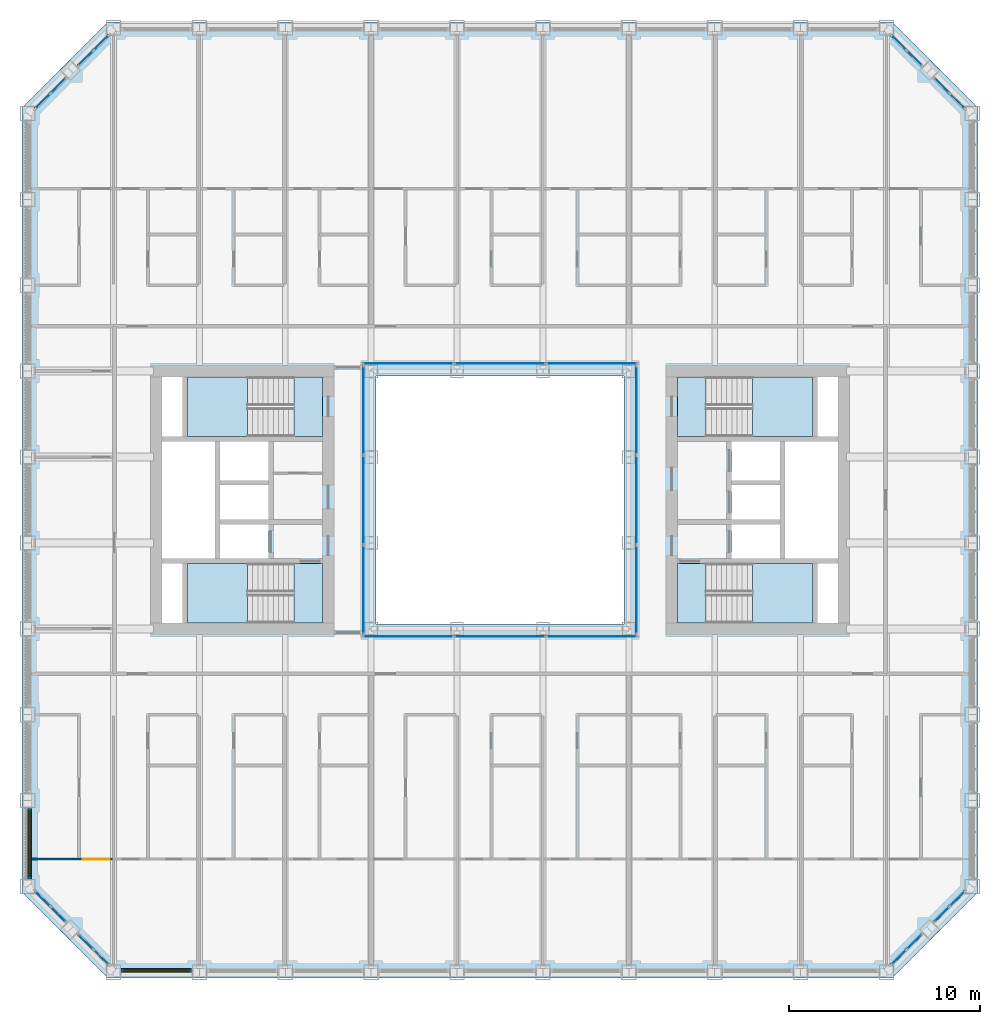
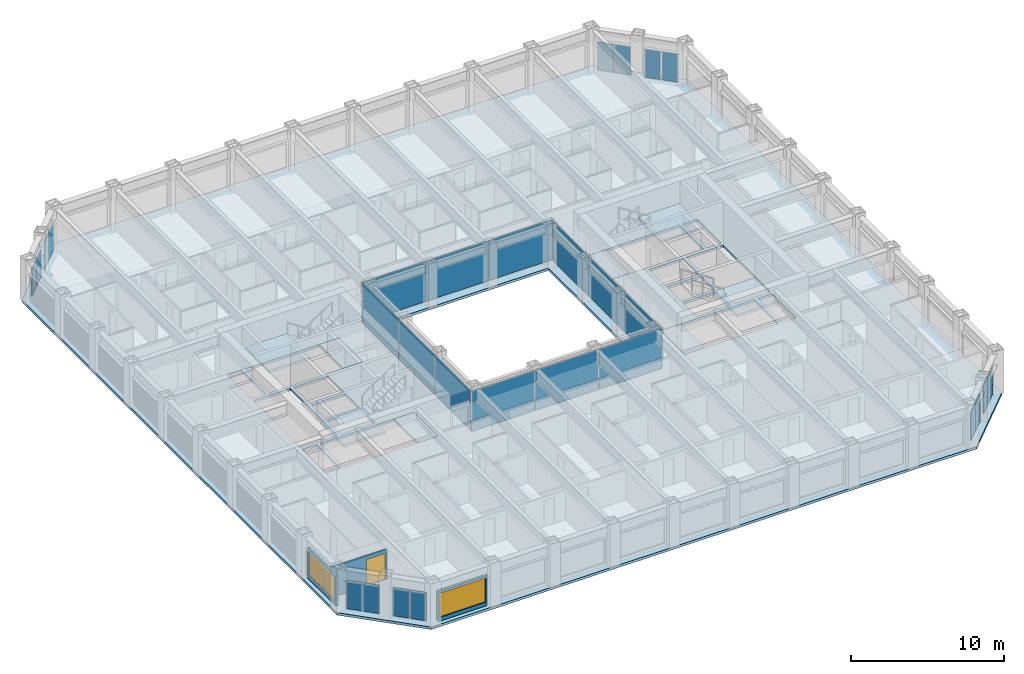
# One storey, part 8 of 21: 28 plates, 9 slabs, 3 walls, 2 windows, 1 door, 3 openings, 16 elements without a shape of their own.
"""IFC4 building model written with IfcOpenShell, lengths in metres."""

from ifc_helpers import new_model, si_unit, direction, frame, frame_2d, origin, origin_2d, place, context, subcontext, project, spatial, polyline, rectangle, outline, extrude, material, layer, layer_set, type_object, element, fill, aggregate, save


model = new_model("IFC4")

# Units and contexts
model_context = context("Model", 3, precision=1e-05, world=origin(), true_north=direction((0.0, 1.0)))
body_context = subcontext(model_context, "Body", "Model", "MODEL_VIEW")
ifc_project = project(units=[si_unit("LENGTHUNIT", "METRE"), si_unit("AREAUNIT", "SQUARE_METRE"), si_unit("VOLUMEUNIT", "CUBIC_METRE"), si_unit("PLANEANGLEUNIT", "RADIAN"), si_unit("MASSUNIT", "GRAM", prefix="KILO")], contexts=[model_context])

# Site, building, storey
site_placement = place(None, origin())
site = spatial("IfcSite", under=ifc_project, at=site_placement, CompositionType="ELEMENT")
building_placement = place(site_placement, origin())
building = spatial("IfcBuilding", under=site, at=building_placement, Name="Msasa Ring Tower", CompositionType="ELEMENT")
storey_placement = place(building_placement, frame((0.0, 0.0, 93.0)))
storey = spatial("IfcBuildingStorey", under=building, at=storey_placement, Name="L24", CompositionType="ELEMENT", Elevation=93.0)

# Curtain wall, plates
ifc_material_1 = material(Name="Aluminium curtain wall with clear glass", Category="aluminium")
curtain_wall_type_1 = type_object("IfcCurtainWallType", Name="CW-C CHAMFER CORNER CURTAIN WALL", PredefinedType="NOTDEFINED", material=ifc_material_1)
curtain_wall_1_placement = place(storey_placement, origin())
curtain_wall_1 = element("IfcCurtainWall", 1, at=curtain_wall_1_placement, inside=storey, type_object=curtain_wall_type_1, Name="Chamfer corner curtain wall SE L24", PredefinedType="NOTDEFINED")
ifc_material_2 = material(Name="Clear laminated insulating glass unit", Category="glass")
ifc_layer_1 = layer(ifc_material_2, 0.031982421875)
ifc_layer_set_1 = layer_set([ifc_layer_1], Name="CW-C GLASS PANEL 32")
plate_type_1 = type_object("IfcPlateType", Name="CW-C GLASS PANEL 32", PredefinedType="CURTAIN_PANEL", material=ifc_layer_set_1)
plate_1_placement = place(storey_placement, frame((20.896484375, -23.962158203125, 0.06494140625), z_axis=(0.0, 0.0, 1.0), x_axis=(0.707106781187, 0.707106781187, 0.0)))
plate_1 = element("IfcPlate", 2, at=plate_1_placement, type_object=plate_type_1, Name="CW-C panel 1.1", PredefinedType="CURTAIN_PANEL", context=body_context, shape_type="SweptSolid", body=[
    extrude(rectangle(XDim=1.08837890625, YDim=0.031982421875, at=origin_2d()), origin(), (0.0, 0.0, 1.0), 2.2490234375),
])
plate_2_placement = place(storey_placement, frame((21.712158203125, -23.146484375, 0.06494140625), z_axis=(0.0, 0.0, 1.0), x_axis=(0.707106781187, 0.707106781187, 0.0)))
plate_2 = element("IfcPlate", 3, at=plate_2_placement, type_object=plate_type_1, Name="CW-C panel 2.1", PredefinedType="CURTAIN_PANEL", context=body_context, shape_type="SweptSolid", body=[
    extrude(rectangle(XDim=1.08837890625, YDim=0.031982421875, at=origin_2d()), origin(), (0.0, 0.0, 1.0), 2.2490234375),
])
aggregate(curtain_wall_1, [plate_1, plate_2])

curtain_wall_2_placement = place(storey_placement, origin())
curtain_wall_2 = element("IfcCurtainWall", 4, at=curtain_wall_2_placement, inside=storey, type_object=curtain_wall_type_1, Name="Chamfer corner curtain wall SE L24", PredefinedType="NOTDEFINED")
plate_3_placement = place(storey_placement, frame((23.146484375, -21.712158203125, 0.06494140625), z_axis=(0.0, 0.0, 1.0), x_axis=(0.707106781187, 0.707106781187, 0.0)))
plate_3 = element("IfcPlate", 5, at=plate_3_placement, type_object=plate_type_1, Name="CW-C panel 1.1", PredefinedType="CURTAIN_PANEL", context=body_context, shape_type="SweptSolid", body=[
    extrude(rectangle(XDim=1.08837890625, YDim=0.031982421875, at=origin_2d()), origin(), (0.0, 0.0, 1.0), 2.2490234375),
])
plate_4_placement = place(storey_placement, frame((23.962158203125, -20.896484375, 0.06494140625), z_axis=(0.0, 0.0, 1.0), x_axis=(0.707106781187, 0.707106781187, 0.0)))
plate_4 = element("IfcPlate", 6, at=plate_4_placement, type_object=plate_type_1, Name="CW-C panel 2.1", PredefinedType="CURTAIN_PANEL", context=body_context, shape_type="SweptSolid", body=[
    extrude(rectangle(XDim=1.08837890625, YDim=0.031982421875, at=origin_2d()), origin(), (0.0, 0.0, 1.0), 2.2490234375),
])
aggregate(curtain_wall_2, [plate_3, plate_4])

curtain_wall_3_placement = place(storey_placement, origin())
curtain_wall_3 = element("IfcCurtainWall", 7, at=curtain_wall_3_placement, inside=storey, type_object=curtain_wall_type_1, Name="Chamfer corner curtain wall NE L24", PredefinedType="NOTDEFINED")
plate_5_placement = place(storey_placement, frame((21.712158203125, 23.146484375, 0.06494140625), z_axis=(0.0, 0.0, 1.0), x_axis=(-0.707106781187, 0.707106781187, 0.0)))
plate_5 = element("IfcPlate", 8, at=plate_5_placement, type_object=plate_type_1, Name="CW-C panel 1.1", PredefinedType="CURTAIN_PANEL", context=body_context, shape_type="SweptSolid", body=[
    extrude(rectangle(XDim=1.08837890625, YDim=0.031982421875, at=origin_2d()), origin(), (0.0, 0.0, 1.0), 2.2490234375),
])
plate_6_placement = place(storey_placement, frame((20.896484375, 23.962158203125, 0.06494140625), z_axis=(0.0, 0.0, 1.0), x_axis=(-0.707106781187, 0.707106781187, 0.0)))
plate_6 = element("IfcPlate", 9, at=plate_6_placement, type_object=plate_type_1, Name="CW-C panel 2.1", PredefinedType="CURTAIN_PANEL", context=body_context, shape_type="SweptSolid", body=[
    extrude(rectangle(XDim=1.08837890625, YDim=0.031982421875, at=origin_2d()), origin(), (0.0, 0.0, 1.0), 2.2490234375),
])
aggregate(curtain_wall_3, [plate_5, plate_6])

curtain_wall_4_placement = place(storey_placement, origin())
curtain_wall_4 = element("IfcCurtainWall", 10, at=curtain_wall_4_placement, inside=storey, type_object=curtain_wall_type_1, Name="Chamfer corner curtain wall NE L24", PredefinedType="NOTDEFINED")
plate_7_placement = place(storey_placement, frame((23.962158203125, 20.896484375, 0.06494140625), z_axis=(0.0, 0.0, 1.0), x_axis=(-0.707106781187, 0.707106781187, 0.0)))
plate_7 = element("IfcPlate", 11, at=plate_7_placement, type_object=plate_type_1, Name="CW-C panel 1.1", PredefinedType="CURTAIN_PANEL", context=body_context, shape_type="SweptSolid", body=[
    extrude(rectangle(XDim=1.08837890625, YDim=0.031982421875, at=origin_2d()), origin(), (0.0, 0.0, 1.0), 2.2490234375),
])
plate_8_placement = place(storey_placement, frame((23.146484375, 21.712158203125, 0.06494140625), z_axis=(0.0, 0.0, 1.0), x_axis=(-0.707106781187, 0.707106781187, 0.0)))
plate_8 = element("IfcPlate", 12, at=plate_8_placement, type_object=plate_type_1, Name="CW-C panel 2.1", PredefinedType="CURTAIN_PANEL", context=body_context, shape_type="SweptSolid", body=[
    extrude(rectangle(XDim=1.08837890625, YDim=0.031982421875, at=origin_2d()), origin(), (0.0, 0.0, 1.0), 2.2490234375),
])
aggregate(curtain_wall_4, [plate_7, plate_8])

curtain_wall_5_placement = place(storey_placement, origin())
curtain_wall_5 = element("IfcCurtainWall", 13, at=curtain_wall_5_placement, inside=storey, type_object=curtain_wall_type_1, Name="Chamfer corner curtain wall NW L24", PredefinedType="NOTDEFINED")
plate_9_placement = place(storey_placement, frame((-23.146484375, 21.712158203125, 0.06494140625), z_axis=(0.0, 0.0, 1.0), x_axis=(-0.707106781187, -0.707106781187, 0.0)))
plate_9 = element("IfcPlate", 14, at=plate_9_placement, type_object=plate_type_1, Name="CW-C panel 1.1", PredefinedType="CURTAIN_PANEL", context=body_context, shape_type="SweptSolid", body=[
    extrude(rectangle(XDim=1.08837890625, YDim=0.031982421875, at=origin_2d()), origin(), (0.0, 0.0, 1.0), 2.2490234375),
])
plate_10_placement = place(storey_placement, frame((-23.962158203125, 20.896484375, 0.06494140625), z_axis=(0.0, 0.0, 1.0), x_axis=(-0.707106781187, -0.707106781187, 0.0)))
plate_10 = element("IfcPlate", 15, at=plate_10_placement, type_object=plate_type_1, Name="CW-C panel 2.1", PredefinedType="CURTAIN_PANEL", context=body_context, shape_type="SweptSolid", body=[
    extrude(rectangle(XDim=1.08837890625, YDim=0.031982421875, at=origin_2d()), origin(), (0.0, 0.0, 1.0), 2.2490234375),
])
aggregate(curtain_wall_5, [plate_9, plate_10])

curtain_wall_6_placement = place(storey_placement, origin())
curtain_wall_6 = element("IfcCurtainWall", 16, at=curtain_wall_6_placement, inside=storey, type_object=curtain_wall_type_1, Name="Chamfer corner curtain wall NW L24", PredefinedType="NOTDEFINED")
plate_11_placement = place(storey_placement, frame((-20.896484375, 23.962158203125, 0.06494140625), z_axis=(0.0, 0.0, 1.0), x_axis=(-0.707106781187, -0.707106781187, 0.0)))
plate_11 = element("IfcPlate", 17, at=plate_11_placement, type_object=plate_type_1, Name="CW-C panel 1.1", PredefinedType="CURTAIN_PANEL", context=body_context, shape_type="SweptSolid", body=[
    extrude(rectangle(XDim=1.08837890625, YDim=0.031982421875, at=origin_2d()), origin(), (0.0, 0.0, 1.0), 2.2490234375),
])
plate_12_placement = place(storey_placement, frame((-21.712158203125, 23.146484375, 0.06494140625), z_axis=(0.0, 0.0, 1.0), x_axis=(-0.707106781187, -0.707106781187, 0.0)))
plate_12 = element("IfcPlate", 18, at=plate_12_placement, type_object=plate_type_1, Name="CW-C panel 2.1", PredefinedType="CURTAIN_PANEL", context=body_context, shape_type="SweptSolid", body=[
    extrude(rectangle(XDim=1.08837890625, YDim=0.031982421875, at=origin_2d()), origin(), (0.0, 0.0, 1.0), 2.2490234375),
])
aggregate(curtain_wall_6, [plate_11, plate_12])

curtain_wall_7_placement = place(storey_placement, origin())
curtain_wall_7 = element("IfcCurtainWall", 19, at=curtain_wall_7_placement, inside=storey, type_object=curtain_wall_type_1, Name="Chamfer corner curtain wall SW L24", PredefinedType="NOTDEFINED")
plate_13_placement = place(storey_placement, frame((-23.962158203125, -20.896484375, 0.06494140625), z_axis=(0.0, 0.0, 1.0), x_axis=(0.707106781187, -0.707106781187, 0.0)))
plate_13 = element("IfcPlate", 20, at=plate_13_placement, type_object=plate_type_1, Name="CW-C panel 1.1", PredefinedType="CURTAIN_PANEL", context=body_context, shape_type="SweptSolid", body=[
    extrude(rectangle(XDim=1.08837890625, YDim=0.031982421875, at=origin_2d()), origin(), (0.0, 0.0, 1.0), 2.2490234375),
])
plate_14_placement = place(storey_placement, frame((-23.146484375, -21.712158203125, 0.06494140625), z_axis=(0.0, 0.0, 1.0), x_axis=(0.707106781187, -0.707106781187, 0.0)))
plate_14 = element("IfcPlate", 21, at=plate_14_placement, type_object=plate_type_1, Name="CW-C panel 2.1", PredefinedType="CURTAIN_PANEL", context=body_context, shape_type="SweptSolid", body=[
    extrude(rectangle(XDim=1.08837890625, YDim=0.031982421875, at=origin_2d()), origin(), (0.0, 0.0, 1.0), 2.2490234375),
])
aggregate(curtain_wall_7, [plate_13, plate_14])

curtain_wall_8_placement = place(storey_placement, origin())
curtain_wall_8 = element("IfcCurtainWall", 22, at=curtain_wall_8_placement, inside=storey, type_object=curtain_wall_type_1, Name="Chamfer corner curtain wall SW L24", PredefinedType="NOTDEFINED")
plate_15_placement = place(storey_placement, frame((-21.712158203125, -23.146484375, 0.06494140625), z_axis=(0.0, 0.0, 1.0), x_axis=(0.707106781187, -0.707106781187, 0.0)))
plate_15 = element("IfcPlate", 23, at=plate_15_placement, type_object=plate_type_1, Name="CW-C panel 1.1", PredefinedType="CURTAIN_PANEL", context=body_context, shape_type="SweptSolid", body=[
    extrude(rectangle(XDim=1.08837890625, YDim=0.031982421875, at=origin_2d()), origin(), (0.0, 0.0, 1.0), 2.2490234375),
])
plate_16_placement = place(storey_placement, frame((-20.896484375, -23.962158203125, 0.06494140625), z_axis=(0.0, 0.0, 1.0), x_axis=(0.707106781187, -0.707106781187, 0.0)))
plate_16 = element("IfcPlate", 24, at=plate_16_placement, type_object=plate_type_1, Name="CW-C panel 2.1", PredefinedType="CURTAIN_PANEL", context=body_context, shape_type="SweptSolid", body=[
    extrude(rectangle(XDim=1.08837890625, YDim=0.031982421875, at=origin_2d()), origin(), (0.0, 0.0, 1.0), 2.2490234375),
])
aggregate(curtain_wall_8, [plate_15, plate_16])

ifc_material_3 = material(Name="Aluminium curtain wall with clear glass", Category="aluminium")
curtain_wall_type_2 = type_object("IfcCurtainWallType", Name="CW-W LIGHT WELL CURTAIN WALL", PredefinedType="NOTDEFINED", material=ifc_material_3)
curtain_wall_9_placement = place(storey_placement, origin())
curtain_wall_9 = element("IfcCurtainWall", 25, at=curtain_wall_9_placement, inside=storey, type_object=curtain_wall_type_2, Name="Light well curtain wall N L24", PredefinedType="NOTDEFINED")
ifc_material_4 = material(Name="Clear laminated insulating glass unit", Category="glass")
ifc_layer_2 = layer(ifc_material_4, 0.028076171875)
ifc_layer_set_2 = layer_set([ifc_layer_2], Name="CW-W GLASS PANEL 28")
plate_type_2 = type_object("IfcPlateType", Name="CW-W GLASS PANEL 28", PredefinedType="CURTAIN_PANEL", material=ifc_layer_set_2)
plate_17_placement = place(storey_placement, frame((-4.804931640625, 7.14990234375, 0.06005859375), z_axis=(0.0, 0.0, 1.0), x_axis=(1.0, 0.0, 0.0)))
plate_17 = element("IfcPlate", 26, at=plate_17_placement, type_object=plate_type_2, Name="CW-W panel 1.1", PredefinedType="CURTAIN_PANEL", context=body_context, shape_type="SweptSolid", body=[
    extrude(rectangle(XDim=4.72998046875, YDim=0.028076171875, at=origin_2d()), origin(), (0.0, 0.0, 1.0), 3.179931640625),
])
plate_18_placement = place(storey_placement, frame((0.0, 7.14990234375, 0.06005859375), z_axis=(0.0, 0.0, 1.0), x_axis=(1.0, 0.0, 0.0)))
plate_18 = element("IfcPlate", 27, at=plate_18_placement, type_object=plate_type_2, Name="CW-W panel 2.1", PredefinedType="CURTAIN_PANEL", context=body_context, shape_type="SweptSolid", body=[
    extrude(rectangle(XDim=4.760009765625, YDim=0.028076171875, at=origin_2d()), origin(), (0.0, 0.0, 1.0), 3.179931640625),
])
plate_19_placement = place(storey_placement, frame((4.804931640625, 7.14990234375, 0.06005859375), z_axis=(0.0, 0.0, 1.0), x_axis=(1.0, 0.0, 0.0)))
plate_19 = element("IfcPlate", 28, at=plate_19_placement, type_object=plate_type_2, Name="CW-W panel 3.1", PredefinedType="CURTAIN_PANEL", context=body_context, shape_type="SweptSolid", body=[
    extrude(rectangle(XDim=4.72998046875, YDim=0.028076171875, at=origin_2d()), origin(), (0.0, 0.0, 1.0), 3.179931640625),
])
aggregate(curtain_wall_9, [plate_17, plate_18, plate_19])

curtain_wall_10_placement = place(storey_placement, origin())
curtain_wall_10 = element("IfcCurtainWall", 29, at=curtain_wall_10_placement, inside=storey, type_object=curtain_wall_type_2, Name="Light well curtain wall S L24", PredefinedType="NOTDEFINED")
plate_20_placement = place(storey_placement, frame((-4.804931640625, -7.14990234375, 0.06005859375), z_axis=(0.0, 0.0, 1.0), x_axis=(1.0, 0.0, 0.0)))
plate_20 = element("IfcPlate", 30, at=plate_20_placement, type_object=plate_type_2, Name="CW-W panel 1.1", PredefinedType="CURTAIN_PANEL", context=body_context, shape_type="SweptSolid", body=[
    extrude(rectangle(XDim=4.72998046875, YDim=0.028076171875, at=origin_2d()), origin(), (0.0, 0.0, 1.0), 3.179931640625),
])
plate_21_placement = place(storey_placement, frame((0.0, -7.14990234375, 0.06005859375), z_axis=(0.0, 0.0, 1.0), x_axis=(1.0, 0.0, 0.0)))
plate_21 = element("IfcPlate", 31, at=plate_21_placement, type_object=plate_type_2, Name="CW-W panel 2.1", PredefinedType="CURTAIN_PANEL", context=body_context, shape_type="SweptSolid", body=[
    extrude(rectangle(XDim=4.760009765625, YDim=0.028076171875, at=origin_2d()), origin(), (0.0, 0.0, 1.0), 3.179931640625),
])
plate_22_placement = place(storey_placement, frame((4.804931640625, -7.14990234375, 0.06005859375), z_axis=(0.0, 0.0, 1.0), x_axis=(1.0, 0.0, 0.0)))
plate_22 = element("IfcPlate", 32, at=plate_22_placement, type_object=plate_type_2, Name="CW-W panel 3.1", PredefinedType="CURTAIN_PANEL", context=body_context, shape_type="SweptSolid", body=[
    extrude(rectangle(XDim=4.72998046875, YDim=0.028076171875, at=origin_2d()), origin(), (0.0, 0.0, 1.0), 3.179931640625),
])
aggregate(curtain_wall_10, [plate_20, plate_21, plate_22])

curtain_wall_11_placement = place(storey_placement, origin())
curtain_wall_11 = element("IfcCurtainWall", 33, at=curtain_wall_11_placement, inside=storey, type_object=curtain_wall_type_2, Name="Light well curtain wall E L24", PredefinedType="NOTDEFINED")
plate_23_placement = place(storey_placement, frame((7.14990234375, -4.6982421875, 0.06005859375), z_axis=(0.0, 0.0, 1.0), x_axis=(0.0, 1.0, 0.0)))
plate_23 = element("IfcPlate", 34, at=plate_23_placement, type_object=plate_type_2, Name="CW-W panel 1.1", PredefinedType="CURTAIN_PANEL", context=body_context, shape_type="SweptSolid", body=[
    extrude(rectangle(XDim=4.623291015625, YDim=0.028076171875, at=origin_2d()), origin(), (0.0, 0.0, 1.0), 3.179931640625),
])
plate_24_placement = place(storey_placement, frame((7.14990234375, 0.0, 0.06005859375), z_axis=(0.0, 0.0, 1.0), x_axis=(0.0, 1.0, 0.0)))
plate_24 = element("IfcPlate", 35, at=plate_24_placement, type_object=plate_type_2, Name="CW-W panel 2.1", PredefinedType="CURTAIN_PANEL", context=body_context, shape_type="SweptSolid", body=[
    extrude(rectangle(XDim=4.6533203125, YDim=0.028076171875, at=origin_2d()), origin(), (0.0, 0.0, 1.0), 3.179931640625),
])
plate_25_placement = place(storey_placement, frame((7.14990234375, 4.6982421875, 0.06005859375), z_axis=(0.0, 0.0, 1.0), x_axis=(0.0, 1.0, 0.0)))
plate_25 = element("IfcPlate", 36, at=plate_25_placement, type_object=plate_type_2, Name="CW-W panel 3.1", PredefinedType="CURTAIN_PANEL", context=body_context, shape_type="SweptSolid", body=[
    extrude(rectangle(XDim=4.623291015625, YDim=0.028076171875, at=origin_2d()), origin(), (0.0, 0.0, 1.0), 3.179931640625),
])
aggregate(curtain_wall_11, [plate_23, plate_24, plate_25])

curtain_wall_12_placement = place(storey_placement, origin())
curtain_wall_12 = element("IfcCurtainWall", 37, at=curtain_wall_12_placement, inside=storey, type_object=curtain_wall_type_2, Name="Light well curtain wall W L24", PredefinedType="NOTDEFINED")
plate_26_placement = place(storey_placement, frame((-7.14990234375, -4.6982421875, 0.06005859375), z_axis=(0.0, 0.0, 1.0), x_axis=(0.0, 1.0, 0.0)))
plate_26 = element("IfcPlate", 38, at=plate_26_placement, type_object=plate_type_2, Name="CW-W panel 1.1", PredefinedType="CURTAIN_PANEL", context=body_context, shape_type="SweptSolid", body=[
    extrude(rectangle(XDim=4.623291015625, YDim=0.028076171875, at=origin_2d()), origin(), (0.0, 0.0, 1.0), 3.179931640625),
])
plate_27_placement = place(storey_placement, frame((-7.14990234375, 0.0, 0.06005859375), z_axis=(0.0, 0.0, 1.0), x_axis=(0.0, 1.0, 0.0)))
plate_27 = element("IfcPlate", 39, at=plate_27_placement, type_object=plate_type_2, Name="CW-W panel 2.1", PredefinedType="CURTAIN_PANEL", context=body_context, shape_type="SweptSolid", body=[
    extrude(rectangle(XDim=4.6533203125, YDim=0.028076171875, at=origin_2d()), origin(), (0.0, 0.0, 1.0), 3.179931640625),
])
plate_28_placement = place(storey_placement, frame((-7.14990234375, 4.6982421875, 0.06005859375), z_axis=(0.0, 0.0, 1.0), x_axis=(0.0, 1.0, 0.0)))
plate_28 = element("IfcPlate", 40, at=plate_28_placement, type_object=plate_type_2, Name="CW-W panel 3.1", PredefinedType="CURTAIN_PANEL", context=body_context, shape_type="SweptSolid", body=[
    extrude(rectangle(XDim=4.623291015625, YDim=0.028076171875, at=origin_2d()), origin(), (0.0, 0.0, 1.0), 3.179931640625),
])
aggregate(curtain_wall_12, [plate_26, plate_27, plate_28])

# Stair, slabs
ifc_material_5 = material(Name="Concrete C40/50", Category="concrete")
stair_type = type_object("IfcStairType", Name="STC CORE STAIR 20 RISERS 175", PredefinedType="HALF_TURN_STAIR", material=ifc_material_5)
stair_1_placement = place(storey_placement, origin())
stair_1 = element("IfcStair", 41, at=stair_1_placement, inside=storey, type_object=stair_type, Name="Core stair SEA L24", PredefinedType="HALF_TURN_STAIR")
ifc_material_6 = material(Name="Concrete C40/50", Category="concrete")
ifc_layer_3 = layer(ifc_material_6, 0.199951171875)
ifc_layer_set_3 = layer_set([ifc_layer_3], Name="LD1 CORE STAIR LANDING 200")
slab_type_1 = type_object("IfcSlabType", Name="LD1 CORE STAIR LANDING 200", PredefinedType="LANDING", material=ifc_layer_set_3)
slab_1_placement = place(storey_placement, frame((0.0, 0.0, -0.199951171875)))
slab_1 = element("IfcSlab", 42, at=slab_1_placement, type_object=slab_type_1, Name="SEA landing 1", PredefinedType="LANDING", context=body_context, shape_type="SweptSolid", body=[
    extrude(outline(polyline([(9.300048828125, -6.449951171875), (10.800048828125, -6.449951171875), (10.800048828125, -3.324951171875), (9.300048828125, -3.324951171875), (9.300048828125, -6.449951171875)])), origin(), (0.0, 0.0, 1.0), 0.199951171875),
])
slab_2_placement = place(storey_placement, frame((0.0, 0.0, 1.550048828125)))
slab_2 = element("IfcSlab", 43, at=slab_2_placement, type_object=slab_type_1, Name="SEA landing 2", PredefinedType="LANDING", context=body_context, shape_type="SweptSolid", body=[
    extrude(outline(polyline([(13.22998046875, -6.449951171875), (16.375, -6.449951171875), (16.375, -3.324951171875), (13.22998046875, -3.324951171875), (13.22998046875, -6.449951171875)])), origin(), (0.0, 0.0, 1.0), 0.199951171875),
])
aggregate(stair_1, [slab_1, slab_2])

stair_2_placement = place(storey_placement, origin())
stair_2 = element("IfcStair", 44, at=stair_2_placement, inside=storey, type_object=stair_type, Name="Core stair SEB L24", PredefinedType="HALF_TURN_STAIR")
slab_3_placement = place(storey_placement, frame((0.0, 0.0, -0.199951171875)))
slab_3 = element("IfcSlab", 45, at=slab_3_placement, type_object=slab_type_1, Name="SEB landing 1", PredefinedType="LANDING", context=body_context, shape_type="SweptSolid", body=[
    extrude(outline(polyline([(9.300048828125, 3.324951171875), (10.800048828125, 3.324951171875), (10.800048828125, 6.449951171875), (9.300048828125, 6.449951171875), (9.300048828125, 3.324951171875)])), origin(), (0.0, 0.0, 1.0), 0.199951171875),
])
slab_4_placement = place(storey_placement, frame((0.0, 0.0, 1.550048828125)))
slab_4 = element("IfcSlab", 46, at=slab_4_placement, type_object=slab_type_1, Name="SEB landing 2", PredefinedType="LANDING", context=body_context, shape_type="SweptSolid", body=[
    extrude(outline(polyline([(13.22998046875, 3.324951171875), (16.375, 3.324951171875), (16.375, 6.449951171875), (13.22998046875, 6.449951171875), (13.22998046875, 3.324951171875)])), origin(), (0.0, 0.0, 1.0), 0.199951171875),
])
aggregate(stair_2, [slab_3, slab_4])

stair_3_placement = place(storey_placement, origin())
stair_3 = element("IfcStair", 47, at=stair_3_placement, inside=storey, type_object=stair_type, Name="Core stair SWA L24", PredefinedType="HALF_TURN_STAIR")
slab_5_placement = place(storey_placement, frame((0.0, 0.0, -0.199951171875)))
slab_5 = element("IfcSlab", 48, at=slab_5_placement, type_object=slab_type_1, Name="SWA landing 1", PredefinedType="LANDING", context=body_context, shape_type="SweptSolid", body=[
    extrude(outline(polyline([(-10.800048828125, -6.449951171875), (-9.300048828125, -6.449951171875), (-9.300048828125, -3.324951171875), (-10.800048828125, -3.324951171875), (-10.800048828125, -6.449951171875)])), origin(), (0.0, 0.0, 1.0), 0.199951171875),
])
slab_6_placement = place(storey_placement, frame((0.0, 0.0, 1.550048828125)))
slab_6 = element("IfcSlab", 49, at=slab_6_placement, type_object=slab_type_1, Name="SWA landing 2", PredefinedType="LANDING", context=body_context, shape_type="SweptSolid", body=[
    extrude(outline(polyline([(-16.375, -6.449951171875), (-13.22998046875, -6.449951171875), (-13.22998046875, -3.324951171875), (-16.375, -3.324951171875), (-16.375, -6.449951171875)])), origin(), (0.0, 0.0, 1.0), 0.199951171875),
])
aggregate(stair_3, [slab_5, slab_6])

stair_4_placement = place(storey_placement, origin())
stair_4 = element("IfcStair", 50, at=stair_4_placement, inside=storey, type_object=stair_type, Name="Core stair SWB L24", PredefinedType="HALF_TURN_STAIR")
slab_7_placement = place(storey_placement, frame((0.0, 0.0, -0.199951171875)))
slab_7 = element("IfcSlab", 51, at=slab_7_placement, type_object=slab_type_1, Name="SWB landing 1", PredefinedType="LANDING", context=body_context, shape_type="SweptSolid", body=[
    extrude(outline(polyline([(-10.800048828125, 3.324951171875), (-9.300048828125, 3.324951171875), (-9.300048828125, 6.449951171875), (-10.800048828125, 6.449951171875), (-10.800048828125, 3.324951171875)])), origin(), (0.0, 0.0, 1.0), 0.199951171875),
])
slab_8_placement = place(storey_placement, frame((0.0, 0.0, 1.550048828125)))
slab_8 = element("IfcSlab", 52, at=slab_8_placement, type_object=slab_type_1, Name="SWB landing 2", PredefinedType="LANDING", context=body_context, shape_type="SweptSolid", body=[
    extrude(outline(polyline([(-16.375, 3.324951171875), (-13.22998046875, 3.324951171875), (-13.22998046875, 6.449951171875), (-16.375, 6.449951171875), (-16.375, 3.324951171875)])), origin(), (0.0, 0.0, 1.0), 0.199951171875),
])
aggregate(stair_4, [slab_7, slab_8])

# Slab
ifc_material_7 = material(Name="Concrete C40/50", Category="concrete")
ifc_layer_4 = layer(ifc_material_7, 0.199951171875)
ifc_layer_set_4 = layer_set([ifc_layer_4], Name="S3 RESIDENCE FLOOR 200")
slab_type_2 = type_object("IfcSlabType", Name="S3 RESIDENCE FLOOR 200", PredefinedType="FLOOR", material=ifc_layer_set_4)
slab_9_placement = place(storey_placement, frame((0.0, 0.0, -0.199951171875)))
element("IfcSlab", 53, at=slab_9_placement, inside=storey, type_object=slab_type_2, Name="Floor slab L24", PredefinedType="FLOOR", context=body_context, shape_type="SweptSolid", body=[
    extrude(outline(polyline([(-20.550048828125, -25.050048828125), (20.550048828125, -25.050048828125), (25.050048828125, -20.550048828125), (25.050048828125, 20.550048828125), (20.550048828125, 25.050048828125), (-20.550048828125, 25.050048828125), (-25.050048828125, 20.550048828125), (-25.050048828125, -20.550048828125), (-20.550048828125, -25.050048828125)]), holes=[polyline([(-6.5, -6.5), (6.5, -6.5), (6.5, 6.5), (-6.5, 6.5), (-6.5, -6.5)]), polyline([(9.300048828125, -6.449951171875), (16.375, -6.449951171875), (16.375, -3.324951171875), (9.300048828125, -3.324951171875), (9.300048828125, -6.449951171875)]), polyline([(9.300048828125, 3.324951171875), (16.375, 3.324951171875), (16.375, 6.449951171875), (9.300048828125, 6.449951171875), (9.300048828125, 3.324951171875)]), polyline([(12.125, -3.074951171875), (14.675048828125, -3.074951171875), (14.675048828125, -1.27490234375), (12.125, -1.27490234375), (12.125, -3.074951171875)]), polyline([(12.125, -1.02490234375), (14.675048828125, -1.02490234375), (14.675048828125, 0.77490234375), (12.125, 0.77490234375), (12.125, -1.02490234375)]), polyline([(12.125, 1.02490234375), (14.675048828125, 1.02490234375), (14.675048828125, 3.074951171875), (12.125, 3.074951171875), (12.125, 1.02490234375)]), polyline([(16.625, -6.449951171875), (17.699951171875, -6.449951171875), (17.699951171875, -3.324951171875), (16.625, -3.324951171875), (16.625, -6.449951171875)]), polyline([(16.625, 3.324951171875), (17.699951171875, 3.324951171875), (17.699951171875, 6.449951171875), (16.625, 6.449951171875), (16.625, 3.324951171875)]), polyline([(14.925048828125, -3.074951171875), (17.699951171875, -3.074951171875), (17.699951171875, 3.074951171875), (14.925048828125, 3.074951171875), (14.925048828125, -3.074951171875)]), polyline([(-16.375, -6.449951171875), (-9.300048828125, -6.449951171875), (-9.300048828125, -3.324951171875), (-16.375, -3.324951171875), (-16.375, -6.449951171875)]), polyline([(-16.375, 3.324951171875), (-9.300048828125, 3.324951171875), (-9.300048828125, 6.449951171875), (-16.375, 6.449951171875), (-16.375, 3.324951171875)]), polyline([(-14.675048828125, -3.074951171875), (-12.125, -3.074951171875), (-12.125, -1.27490234375), (-14.675048828125, -1.27490234375), (-14.675048828125, -3.074951171875)]), polyline([(-14.675048828125, -1.02490234375), (-12.125, -1.02490234375), (-12.125, 0.77490234375), (-14.675048828125, 0.77490234375), (-14.675048828125, -1.02490234375)]), polyline([(-14.675048828125, 1.02490234375), (-12.125, 1.02490234375), (-12.125, 3.074951171875), (-14.675048828125, 3.074951171875), (-14.675048828125, 1.02490234375)]), polyline([(-17.699951171875, -6.449951171875), (-16.625, -6.449951171875), (-16.625, -3.324951171875), (-17.699951171875, -3.324951171875), (-17.699951171875, -6.449951171875)]), polyline([(-17.699951171875, 3.324951171875), (-16.625, 3.324951171875), (-16.625, 6.449951171875), (-17.699951171875, 6.449951171875), (-17.699951171875, 3.324951171875)]), polyline([(-17.699951171875, -3.074951171875), (-14.925048828125, -3.074951171875), (-14.925048828125, 3.074951171875), (-17.699951171875, 3.074951171875), (-17.699951171875, -3.074951171875)])]), origin(), (0.0, 0.0, 1.0), 0.199951171875),
])

# Wall, opening, window
ifc_material_8 = material(Name="Terracotta rainscreen on blockwork", Category="masonry")
ifc_layer_5 = layer(ifc_material_8, 0.199951171875)
ifc_layer_set_5 = layer_set([ifc_layer_5], Name="FW1 TERRACOTTA-LINED INFILL BAY WALL 200")
wall_type_1 = type_object("IfcWallType", Name="FW1 TERRACOTTA-LINED INFILL BAY WALL 200", PredefinedType="SOLIDWALL", material=ifc_layer_set_5)
wall_1_placement = place(storey_placement, frame((-19.844970703125, -24.64990234375, 0.0), z_axis=(0.0, 0.0, 1.0), x_axis=(1.0, 0.0, 0.0)))
wall_1 = element("IfcWall", 54, at=wall_1_placement, inside=storey, type_object=wall_type_1, Name="Infill bay wall S L24 00", PredefinedType="SOLIDWALL", context=body_context, shape_type="SweptSolid", body=[
    extrude(rectangle(XDim=3.68994140625, YDim=0.199951171875, at=frame_2d((1.844970703125, 0.0))), origin(), (0.0, 0.0, 1.0), 2.37890625),
])
opening_1_placement = place(wall_1_placement, frame((0.14501953125, 0.0, 0.300048828125)))
opening_1 = element("IfcOpeningElement", 55, at=opening_1_placement, cuts=wall_1, Name="Opening WN1", PredefinedType="OPENING", context=body_context, shape_type="SweptSolid", body=[
    extrude(rectangle(XDim=3.39990234375, YDim=1.928955078125, at=frame_2d((1.699951171875, 0.96435546875))), frame((0.0, 0.10986328125, 0.0), z_axis=(0.0, -1.0, 0.0), x_axis=(1.0, 0.0, 0.0)), (0.0, 0.0, 1.0), 0.219970703125),
])
ifc_material_9 = material(Name="Aluminium frame with clear glass", Category="aluminium")
window_type = type_object("IfcWindowType", Name="WN1 RESIDENCE WINDOW 3400x1929", PartitioningType="SINGLE_PANEL", PredefinedType="WINDOW", material=ifc_material_9)
window_1_placement = place(opening_1_placement, origin())
window_1 = element("IfcWindow", 56, at=window_1_placement, inside=storey, type_object=window_type, Name="Window S L24 00", OverallHeight=1.928955078125, OverallWidth=3.39990234375, PartitioningType="SINGLE_PANEL", PredefinedType="WINDOW", context=body_context, shape_type="SweptSolid", body=[
    extrude(rectangle(XDim=3.39990234375, YDim=1.928955078125, at=frame_2d((1.699951171875, 0.96435546875))), frame((0.0, 0.030029296875, 0.0), z_axis=(0.0, -1.0, 0.0), x_axis=(1.0, 0.0, 0.0)), (0.0, 0.0, 1.0), 0.06005859375),
])
fill(opening_1, window_1)

wall_2_placement = place(storey_placement, frame((-24.64990234375, -19.844970703125, 0.0), z_axis=(0.0, 0.0, 1.0), x_axis=(0.0, 1.0, 0.0)))
wall_2 = element("IfcWall", 57, at=wall_2_placement, inside=storey, type_object=wall_type_1, Name="Infill bay wall W L24 33", PredefinedType="SOLIDWALL", context=body_context, shape_type="SweptSolid", body=[
    extrude(rectangle(XDim=3.68994140625, YDim=0.199951171875, at=frame_2d((1.844970703125, 0.0))), origin(), (0.0, 0.0, 1.0), 2.37890625),
])
opening_2_placement = place(wall_2_placement, frame((0.14501953125, 0.0, 0.300048828125)))
opening_2 = element("IfcOpeningElement", 58, at=opening_2_placement, cuts=wall_2, Name="Opening WN1", PredefinedType="OPENING", context=body_context, shape_type="SweptSolid", body=[
    extrude(rectangle(XDim=3.39990234375, YDim=1.928955078125, at=frame_2d((1.699951171875, 0.96435546875))), frame((0.0, 0.10986328125, 0.0), z_axis=(0.0, -1.0, 0.0), x_axis=(1.0, 0.0, 0.0)), (0.0, 0.0, 1.0), 0.219970703125),
])
window_2_placement = place(opening_2_placement, origin())
window_2 = element("IfcWindow", 59, at=window_2_placement, inside=storey, type_object=window_type, Name="Window W L24 33", OverallHeight=1.928955078125, OverallWidth=3.39990234375, PartitioningType="SINGLE_PANEL", PredefinedType="WINDOW", context=body_context, shape_type="SweptSolid", body=[
    extrude(rectangle(XDim=3.39990234375, YDim=1.928955078125, at=frame_2d((1.699951171875, 0.96435546875))), frame((0.0, 0.030029296875, 0.0), z_axis=(0.0, -1.0, 0.0), x_axis=(1.0, 0.0, 0.0)), (0.0, 0.0, 1.0), 0.06005859375),
])
fill(opening_2, window_2)

# Wall, opening, door
ifc_material_10 = material(Name="Two layers of acoustic board each face on steel studs, mineral wool", Category="steel")
ifc_layer_6 = layer(ifc_material_10, 0.125)
ifc_layer_set_6 = layer_set([ifc_layer_6], Name="PT6 ACOUSTIC DOUBLE-BOARD PARTITION 125")
wall_type_2 = type_object("IfcWallType", Name="PT6 ACOUSTIC DOUBLE-BOARD PARTITION 125", PredefinedType="PARTITIONING", material=ifc_layer_set_6)
wall_3_placement = place(storey_placement, frame((-24.550048828125, -18.8125, 0.0), z_axis=(0.0, 0.0, 1.0), x_axis=(1.0, 0.0, 0.0)))
wall_3 = element("IfcWall", 60, at=wall_3_placement, inside=storey, type_object=wall_type_2, Name="Partition L24-US00SY0", PredefinedType="PARTITIONING", context=body_context, shape_type="SweptSolid", body=[
    extrude(rectangle(XDim=4.237548828125, YDim=0.125, at=frame_2d((2.11865234375, 0.0))), origin(), (0.0, 0.0, 1.0), 2.373291015625),
])
opening_3_placement = place(wall_3_placement, frame((2.699951171875, 0.0, 0.0)))
opening_3 = element("IfcOpeningElement", 61, at=opening_3_placement, cuts=wall_3, Name="Opening RG-064", PredefinedType="OPENING", context=body_context, shape_type="SweptSolid", body=[
    extrude(rectangle(XDim=1.39990234375, YDim=2.10009765625, at=frame_2d((0.699951171875, 1.050048828125))), frame((0.0, 0.072509765625, 0.0), z_axis=(0.0, -1.0, 0.0), x_axis=(1.0, 0.0, 0.0)), (0.0, 0.0, 1.0), 0.14501953125),
])
ifc_material_11 = material(Name="Timber door leaf in a steel frame", Category="steel")
door_type = type_object("IfcDoorType", Name="D15 LIVING ROOM PAIR OF GLAZED DOORS 1400x2100", OperationType="SINGLE_SWING_LEFT", PredefinedType="DOOR", material=ifc_material_11)
door_placement = place(opening_3_placement, origin())
door = element("IfcDoor", 62, at=door_placement, inside=storey, type_object=door_type, Name="Door L24-US00L", OperationType="SINGLE_SWING_RIGHT", OverallHeight=2.10009765625, OverallWidth=1.39990234375, PredefinedType="DOOR", context=body_context, shape_type="SweptSolid", body=[
    extrude(rectangle(XDim=1.39990234375, YDim=2.10009765625, at=frame_2d((0.699951171875, 1.050048828125))), frame((0.0, 0.02490234375, 0.0), z_axis=(0.0, -1.0, 0.0), x_axis=(1.0, 0.0, 0.0)), (0.0, 0.0, 1.0), 0.050048828125),
])
fill(opening_3, door)

save(model, "model.ifc")
